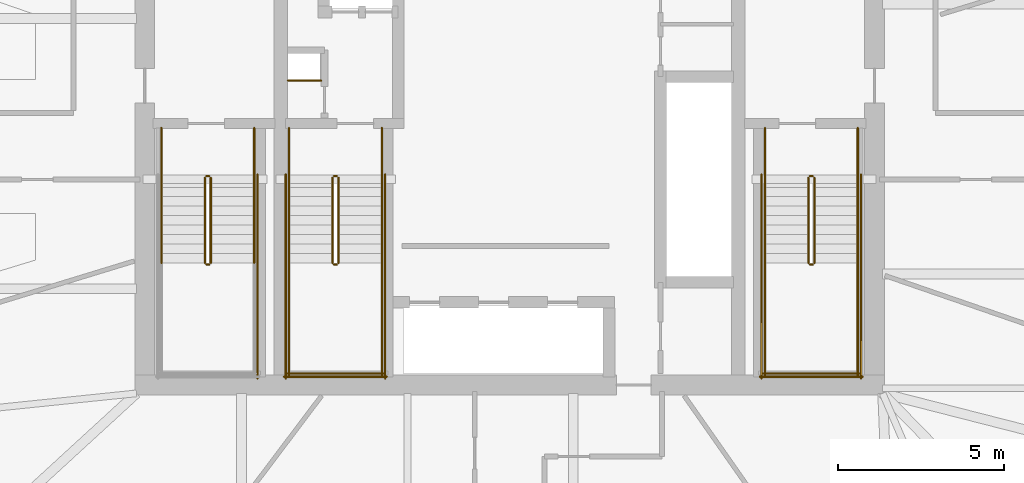
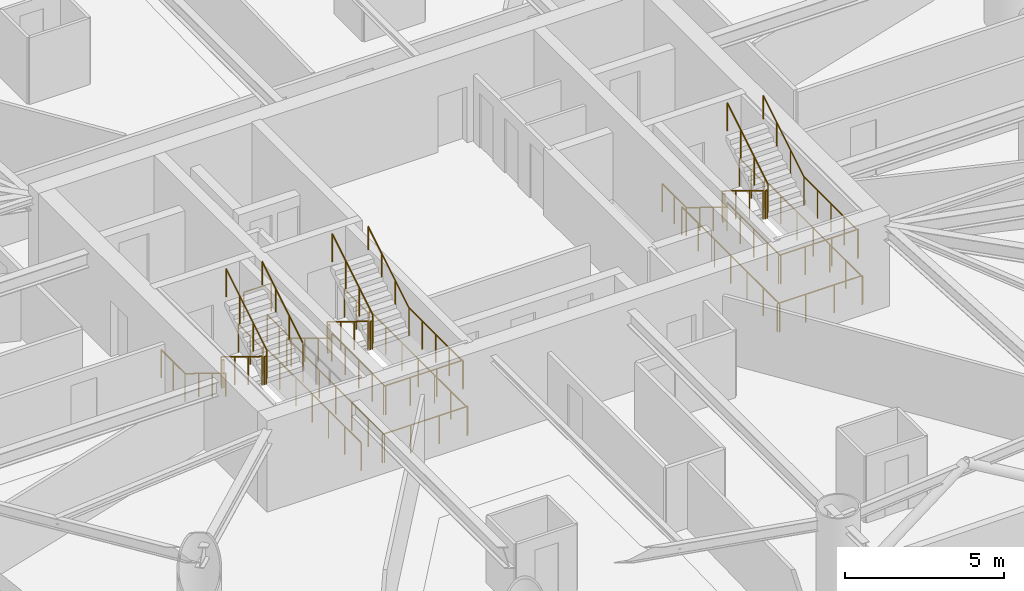
# One storey, part 20 of 21: 38 railings.
"""IFC4 building model written with IfcOpenShell, lengths in metres."""

import ifcopenshell
import ifcopenshell.guid

model = None  # the IFC model being written
_history = None  # IfcOwnerHistory: only IFC2X3 demands one
_inside = {}  # id of a spatial element -> (the spatial element, [elements in it])
_under = {}  # id of a project, library or spatial element -> (it, [spatial elements below it])
_declared = {}  # id of a project -> (the project, [libraries it declares])
_typed = {}  # id of a type object -> (the type object, [elements of that type])
_made_of = {}  # id of a material, layer set ... -> (it, [elements and type objects made of it])


def new_model(schema):
    """Start an empty IFC model of exactly this schema.

    Asked for "IFC4X3", IfcOpenShell would pick the latest addendum, in which some entities
    have other attributes; the version numbers below select the first issue.
    IFC2X3 requires an IfcOwnerHistory on every rooted entity: one is made here for all.
    """
    global model, _history
    if schema == "IFC4X3":
        model = ifcopenshell.file(schema_version=(4, 3, 0, 0))
    else:
        model = ifcopenshell.file(schema=schema)
    _inside.clear()
    _under.clear()
    _declared.clear()
    _typed.clear()
    _made_of.clear()
    _history = None
    if model.schema == "IFC2X3":
        org = make("IfcOrganization", Name="unknown")
        user = make(
            "IfcPersonAndOrganization",
            ThePerson=make("IfcPerson", FamilyName="unknown"),
            TheOrganization=org,
        )
        app = make(
            "IfcApplication",
            ApplicationDeveloper=org,
            Version="unknown",
            ApplicationFullName="unknown",
            ApplicationIdentifier="unknown",
        )
        _history = make(
            "IfcOwnerHistory",
            OwningUser=user,
            OwningApplication=app,
            ChangeAction="ADDED",
            CreationDate=0,
        )
    return model


def make(cls, **values):
    """One entity of the class cls with the attributes given. An attribute that is None is left unset."""
    return model.create_entity(
        cls, **{name: value for name, value in values.items() if value is not None}
    )


def rooted(cls, **values):
    """An entity with a GlobalId (a new one), such as an element, a storey or a relation."""
    return make(cls, GlobalId=ifcopenshell.guid.new(), OwnerHistory=_history, **values)


def si_unit(unit_type, name, prefix=None):
    """IfcSIUnit, for example si_unit("LENGTHUNIT", "METRE", prefix="MILLI")."""
    return make("IfcSIUnit", UnitType=unit_type, Prefix=prefix, Name=name)


def assignment(units):
    """IfcUnitAssignment: the units of a project."""
    return None if units is None else make("IfcUnitAssignment", Units=units)


def point(xyz):
    """IfcCartesianPoint."""
    return None if xyz is None else make("IfcCartesianPoint", Coordinates=xyz)


def direction(xyz):
    """IfcDirection."""
    return None if xyz is None else make("IfcDirection", DirectionRatios=xyz)


def frame(location, z_axis=None, x_axis=None):
    """IfcAxis2Placement3D, a coordinate frame: its origin and axes. An axis left out is left unset."""
    return make(
        "IfcAxis2Placement3D",
        Location=point(location),
        Axis=direction(z_axis),
        RefDirection=direction(x_axis),
    )


def frame_2d(location, x_axis=None):
    """IfcAxis2Placement2D, a coordinate frame in the plane: its origin and x axis."""
    return make(
        "IfcAxis2Placement2D", Location=point(location), RefDirection=direction(x_axis)
    )


def origin():
    """The frame at (0, 0, 0) with its axes left unset."""
    return frame((0.0, 0.0, 0.0))


def origin_2d():
    """The frame at (0, 0) in the plane with its x axis left unset."""
    return frame_2d((0.0, 0.0))


def place(relative_to, where):
    """IfcLocalPlacement: puts the frame where relative to a parent placement (None: the world)."""
    return make(
        "IfcLocalPlacement", PlacementRelTo=relative_to, RelativePlacement=where
    )


def context(
    kind, dimensions, precision=None, world=None, true_north=None, identifier=None
):
    """IfcGeometricRepresentationContext, for example the 3D "Model" context."""
    return make(
        "IfcGeometricRepresentationContext",
        ContextIdentifier=identifier,
        ContextType=kind,
        CoordinateSpaceDimension=dimensions,
        Precision=precision,
        WorldCoordinateSystem=world,
        TrueNorth=true_north,
    )


def subcontext(parent, identifier, kind, view, scale=None):
    """IfcGeometricRepresentationSubContext, for example "Body" below "Model"."""
    return make(
        "IfcGeometricRepresentationSubContext",
        ContextIdentifier=identifier,
        ContextType=kind,
        ParentContext=parent,
        TargetScale=scale,
        TargetView=view,
    )


def project(units=None, contexts=None):
    """IfcProject with its units and contexts."""
    return rooted(
        "IfcProject",
        Name="project",
        RepresentationContexts=contexts,
        UnitsInContext=assignment(units),
    )


def spatial(cls, under=None, at=None, **own):
    """A site, building, storey or space (cls), placed at a placement, below another one or the project."""
    s = rooted(cls, ObjectPlacement=at, **own)
    if under is not None:
        _under.setdefault(under.id(), (under, []))[1].append(s)
    return s


def profile(cls, at=None, kind="AREA", **sizes):
    """A parametric profile (cls). Its sizes go by their IFC names, for example OverallWidth=200.0."""
    return make(cls, ProfileType=kind, Position=at, **sizes)


def circle(**sizes):
    """IfcCircleProfileDef."""
    return profile("IfcCircleProfileDef", **sizes)


def extrude(swept, where, along, depth):
    """IfcExtrudedAreaSolid: the profile swept, set in the frame where, extruded along a direction by depth."""
    return make(
        "IfcExtrudedAreaSolid",
        SweptArea=swept,
        Position=where,
        ExtrudedDirection=direction(along),
        Depth=depth,
    )


def shape(context_of_items, identifier, shape_type, items):
    """IfcShapeRepresentation: the items that make up one representation, for example the "Body"."""
    return make(
        "IfcShapeRepresentation",
        ContextOfItems=context_of_items,
        RepresentationIdentifier=identifier,
        RepresentationType=shape_type,
        Items=items,
    )


def material(Name=None, Category=None):
    """IfcMaterial."""
    return make("IfcMaterial", Name=Name, Category=Category)


def made_of(thing, what):
    """Note that an element or type object is made of a material, layer set ...; save() writes the relation."""
    if what is not None:
        _made_of.setdefault(what.id(), (what, []))[1].append(thing)
    return thing


def type_object(cls, material=None, **own):
    """A type object (cls), such as IfcWallType, which elements share."""
    return made_of(rooted(cls, **own), material)


def element(
    cls,
    number,
    at=None,
    inside=None,
    cuts=None,
    type_object=None,
    material=None,
    context=None,
    identifier="Body",
    shape_type=None,
    held_by="IfcProductDefinitionShape",
    body=None,
    shapes=None,
    **own,
):
    """One element of the class cls, such as IfcWall. Its Tag is "e" and its number.

    at: its placement. inside: the storey or other place that contains it. cuts: it is an
    opening in that element (IfcRelVoidsElement). A single representation is given by context,
    identifier, shape_type and body (its items); several are given by shapes. held_by: the class
    of the entity that holds the representations. save() writes the other relations.
    """
    e = rooted(cls, Tag="e%d" % number, ObjectPlacement=at, **own)
    if body is not None:
        shapes = [shape(context, identifier, shape_type, body)]
    if shapes is not None:
        e.Representation = make(held_by, Representations=shapes)
    if inside is not None:
        _inside.setdefault(inside.id(), (inside, []))[1].append(e)
    if cuts is not None:
        rooted(
            "IfcRelVoidsElement", RelatingBuildingElement=cuts, RelatedOpeningElement=e
        )
    if type_object is not None:
        _typed.setdefault(type_object.id(), (type_object, []))[1].append(e)
    return made_of(e, material)


def aggregate(whole, parts):
    """IfcRelAggregates: a whole, such as a stair, and the parts it consists of."""
    return rooted("IfcRelAggregates", RelatingObject=whole, RelatedObjects=parts)


def save(model, path):
    """Write the relations noted so far, then the file.

    IfcRelAggregates (storeys below a building ...), IfcRelContainedInSpatialStructure (elements
    in a storey), IfcRelDefinesByType, IfcRelAssociatesMaterial and IfcRelDeclares: one each for
    every whole, place, type object, material and project.
    """
    for whole, parts in _under.values():
        aggregate(whole, parts)
    for where, things in _inside.values():
        rooted(
            "IfcRelContainedInSpatialStructure",
            RelatedElements=things,
            RelatingStructure=where,
        )
    for kind, things in _typed.values():
        rooted("IfcRelDefinesByType", RelatedObjects=things, RelatingType=kind)
    for what, things in _made_of.values():
        rooted("IfcRelAssociatesMaterial", RelatedObjects=things, RelatingMaterial=what)
    for by, libraries in _declared.values():
        rooted("IfcRelDeclares", RelatingContext=by, RelatedDefinitions=libraries)
    model.write(path)


model = new_model("IFC4")

# Units and contexts
model_context = context("Model", 3, precision=1e-05, world=origin(), true_north=direction((0.0, 1.0)))
body_context = subcontext(model_context, "Body", "Model", "MODEL_VIEW")
ifc_project = project(units=[si_unit("LENGTHUNIT", "METRE"), si_unit("AREAUNIT", "SQUARE_METRE"), si_unit("VOLUMEUNIT", "CUBIC_METRE"), si_unit("PLANEANGLEUNIT", "RADIAN"), si_unit("MASSUNIT", "GRAM", prefix="KILO")], contexts=[model_context])

# Site, building, storey
site_placement = place(None, origin())
site = spatial("IfcSite", under=ifc_project, at=site_placement, CompositionType="ELEMENT")
building_placement = place(site_placement, origin())
building = spatial("IfcBuilding", under=site, at=building_placement, Name="Bramvorn Convention Spire", CompositionType="ELEMENT")
storey_placement = place(building_placement, frame((0.0, 0.0, 162.300048828125)))
storey = spatial("IfcBuildingStorey", under=building, at=storey_placement, Name="L41", CompositionType="ELEMENT", Elevation=162.300048828125)

# Railings
ifc_material_1 = material(Name="Painted Steel Balustrade & Guardrail", Category="steel")
railing_type_1 = type_object("IfcRailingType", Name="RL-STAIR-GUARD-1100", PredefinedType="GUARDRAIL", material=ifc_material_1)
railing_1_placement = place(storey_placement, frame((28.81005859375, 25.050048828125, 0.175048828125)))
element("IfcRailing", 1, at=railing_1_placement, inside=storey, type_object=railing_type_1, Name="L41 ST1 stair guard 1", PredefinedType="GUARDRAIL", context=body_context, shape_type="SweptSolid", body=[
    extrude(circle(Radius=0.02392578125, at=origin_2d()), frame((0.0, 0.0, 1.076171875), z_axis=(0.0, -0.852173129349, 0.523259933127), x_axis=(1.0, 0.0, 0.0)), (0.0, 0.0, 1.0), 3.009765625),
    extrude(circle(Radius=0.02099609375, at=origin_2d()), origin(), (0.0, 0.0, 1.0), 1.052001953125),
    extrude(circle(Radius=0.02099609375, at=origin_2d()), frame((0.0, -0.85498046875, 0.52490234375)), (0.0, 0.0, 1.0), 1.052001953125),
    extrude(circle(Radius=0.02099609375, at=origin_2d()), frame((0.0, -1.7099609375, 1.050048828125)), (0.0, 0.0, 1.0), 1.052001953125),
    extrude(circle(Radius=0.02099609375, at=origin_2d()), frame((0.0, -2.56494140625, 1.574951171875)), (0.0, 0.0, 1.0), 1.052001953125),
])
railing_2_placement = place(storey_placement, frame((28.860107421875, 22.43505859375, 1.75)))
element("IfcRailing", 2, at=railing_2_placement, inside=storey, type_object=railing_type_1, Name="L41 ST1 stair guard 2", PredefinedType="GUARDRAIL", context=body_context, shape_type="SweptSolid", body=[
    extrude(circle(Radius=0.02392578125, at=origin_2d()), frame((0.0, 0.0, 1.076171875), z_axis=(1.0, 0.0, 0.0), x_axis=(0.0, 1.0, 0.0)), (0.0, 0.0, 1.0), 0.079833984375),
    extrude(circle(Radius=0.02099609375, at=origin_2d()), origin(), (0.0, 0.0, 1.0), 1.052001953125),
    extrude(circle(Radius=0.02099609375, at=origin_2d()), frame((0.079833984375, 0.0, 0.0)), (0.0, 0.0, 1.0), 1.052001953125),
])
railing_3_placement = place(storey_placement, frame((28.989990234375, 22.485107421875, 1.925048828125)))
element("IfcRailing", 3, at=railing_3_placement, inside=storey, type_object=railing_type_1, Name="L41 ST1 stair guard 6", PredefinedType="GUARDRAIL", context=body_context, shape_type="SweptSolid", body=[
    extrude(circle(Radius=0.02392578125, at=origin_2d()), frame((0.0, 0.0, 1.076171875), z_axis=(0.0, 0.852173129349, 0.523259933127), x_axis=(-1.0, 0.0, 0.0)), (0.0, 0.0, 1.0), 3.009765625),
    extrude(circle(Radius=0.02099609375, at=origin_2d()), origin(), (0.0, 0.0, 1.0), 1.052001953125),
    extrude(circle(Radius=0.02099609375, at=origin_2d()), frame((0.0, 0.85498046875, 0.52490234375)), (0.0, 0.0, 1.0), 1.052001953125),
    extrude(circle(Radius=0.02099609375, at=origin_2d()), frame((0.0, 1.7099609375, 1.050048828125)), (0.0, 0.0, 1.0), 1.052001953125),
    extrude(circle(Radius=0.02099609375, at=origin_2d()), frame((0.0, 2.56494140625, 1.574951171875)), (0.0, 0.0, 1.0), 1.052001953125),
])
railing_4_placement = place(storey_placement, frame((28.860107421875, 25.10009765625, 0.0)))
element("IfcRailing", 4, at=railing_4_placement, inside=storey, type_object=railing_type_1, Name="L41 ST1 stair guard 7", PredefinedType="GUARDRAIL", context=body_context, shape_type="SweptSolid", body=[
    extrude(circle(Radius=0.02392578125, at=origin_2d()), frame((0.0, 0.0, 1.076171875), z_axis=(1.0, 0.0, 0.0), x_axis=(0.0, 1.0, 0.0)), (0.0, 0.0, 1.0), 0.079833984375),
    extrude(circle(Radius=0.02099609375, at=origin_2d()), origin(), (0.0, 0.0, 1.0), 1.052001953125),
    extrude(circle(Radius=0.02099609375, at=origin_2d()), frame((0.079833984375, 0.0, 0.0)), (0.0, 0.0, 1.0), 1.052001953125),
])
for number, where, name in (
    (5, (27.5, 26.550048828125, 0.0), "L41 ST1 stair guard 8"),
    (6, (30.300048828125, 26.550048828125, 0.0), "L41 ST1 stair guard 9"),
):
    element("IfcRailing", number, at=place(storey_placement, frame(where)), inside=storey, type_object=railing_type_1, Name=name, PredefinedType="GUARDRAIL", context=body_context, shape_type="SweptSolid", body=[
        extrude(circle(Radius=0.02392578125, at=origin_2d()), frame((0.0, 0.0, 1.076171875), z_axis=(0.0, -1.0, 0.0), x_axis=(1.0, 0.0, 0.0)), (0.0, 0.0, 1.0), 1.5),
        extrude(circle(Radius=0.02099609375, at=origin_2d()), origin(), (0.0, 0.0, 1.0), 1.052001953125),
        extrude(circle(Radius=0.02099609375, at=origin_2d()), frame((0.0, -0.75, 0.0)), (0.0, 0.0, 1.0), 1.052001953125),
        extrude(circle(Radius=0.02099609375, at=origin_2d()), frame((0.0, -1.5, 0.0)), (0.0, 0.0, 1.0), 1.052001953125),
    ])
railing_5_placement = place(storey_placement, frame((30.39990234375, 25.14990234375, 0.0)))
element("IfcRailing", 7, at=railing_5_placement, inside=storey, type_object=railing_type_1, Name="L41 ST1 stair guard 11", PredefinedType="GUARDRAIL", context=body_context, shape_type="SweptSolid", body=[
    extrude(circle(Radius=0.02392578125, at=origin_2d()), frame((0.0, 0.0, 1.076171875), z_axis=(0.0, -1.0, 0.0), x_axis=(1.0, 0.0, 0.0)), (0.0, 0.0, 1.0), 6.14990234375),
    extrude(circle(Radius=0.02099609375, at=origin_2d()), origin(), (0.0, 0.0, 1.0), 1.052001953125),
    extrude(circle(Radius=0.02099609375, at=origin_2d()), frame((0.0, -1.02490234375, 0.0)), (0.0, 0.0, 1.0), 1.052001953125),
    extrude(circle(Radius=0.02099609375, at=origin_2d()), frame((0.0, -2.050048828125, 0.0)), (0.0, 0.0, 1.0), 1.052001953125),
    extrude(circle(Radius=0.02099609375, at=origin_2d()), frame((0.0, -3.074951171875, 0.0)), (0.0, 0.0, 1.0), 1.052001953125),
    extrude(circle(Radius=0.02099609375, at=origin_2d()), frame((0.0, -4.099853515625, 0.0)), (0.0, 0.0, 1.0), 1.052001953125),
    extrude(circle(Radius=0.02099609375, at=origin_2d()), frame((0.0, -5.125, 0.0)), (0.0, 0.0, 1.0), 1.052001953125),
    extrude(circle(Radius=0.02099609375, at=origin_2d()), frame((0.0, -6.14990234375, 0.0)), (0.0, 0.0, 1.0), 1.052001953125),
])
railing_6_placement = place(storey_placement, frame((47.010009765625, 25.050048828125, 0.175048828125)))
element("IfcRailing", 8, at=railing_6_placement, inside=storey, type_object=railing_type_1, Name="L41 ST2 stair guard 1", PredefinedType="GUARDRAIL", context=body_context, shape_type="SweptSolid", body=[
    extrude(circle(Radius=0.02392578125, at=origin_2d()), frame((0.0, 0.0, 1.076171875), z_axis=(0.0, -0.852173129349, 0.523259933127), x_axis=(1.0, 0.0, 0.0)), (0.0, 0.0, 1.0), 3.009765625),
    extrude(circle(Radius=0.02099609375, at=origin_2d()), origin(), (0.0, 0.0, 1.0), 1.052001953125),
    extrude(circle(Radius=0.02099609375, at=origin_2d()), frame((0.0, -0.85498046875, 0.52490234375)), (0.0, 0.0, 1.0), 1.052001953125),
    extrude(circle(Radius=0.02099609375, at=origin_2d()), frame((0.0, -1.7099609375, 1.050048828125)), (0.0, 0.0, 1.0), 1.052001953125),
    extrude(circle(Radius=0.02099609375, at=origin_2d()), frame((0.0, -2.56494140625, 1.574951171875)), (0.0, 0.0, 1.0), 1.052001953125),
])
railing_7_placement = place(storey_placement, frame((47.06005859375, 22.43505859375, 1.75)))
element("IfcRailing", 9, at=railing_7_placement, inside=storey, type_object=railing_type_1, Name="L41 ST2 stair guard 2", PredefinedType="GUARDRAIL", context=body_context, shape_type="SweptSolid", body=[
    extrude(circle(Radius=0.02392578125, at=origin_2d()), frame((0.0, 0.0, 1.076171875), z_axis=(1.0, 0.0, 0.0), x_axis=(0.0, 1.0, 0.0)), (0.0, 0.0, 1.0), 0.079833984375),
    extrude(circle(Radius=0.02099609375, at=origin_2d()), origin(), (0.0, 0.0, 1.0), 1.052001953125),
    extrude(circle(Radius=0.02099609375, at=origin_2d()), frame((0.079833984375, 0.0, 0.0)), (0.0, 0.0, 1.0), 1.052001953125),
])
for number, where, name in (
    (10, (45.699951171875, 22.485107421875, 1.75), "L41 ST2 stair guard 3"),
    (11, (48.5, 22.485107421875, 1.75), "L41 ST2 stair guard 4"),
):
    element("IfcRailing", number, at=place(storey_placement, frame(where)), inside=storey, type_object=railing_type_1, Name=name, PredefinedType="GUARDRAIL", context=body_context, shape_type="SweptSolid", body=[
        extrude(circle(Radius=0.02392578125, at=origin_2d()), frame((0.0, 0.0, 1.076171875), z_axis=(0.0, -1.0, 0.0), x_axis=(1.0, 0.0, 0.0)), (0.0, 0.0, 1.0), 3.385009765625),
        extrude(circle(Radius=0.02099609375, at=origin_2d()), origin(), (0.0, 0.0, 1.0), 1.052001953125),
        extrude(circle(Radius=0.02099609375, at=origin_2d()), frame((0.0, -0.84619140625, 0.0)), (0.0, 0.0, 1.0), 1.052001953125),
        extrude(circle(Radius=0.02099609375, at=origin_2d()), frame((0.0, -1.6923828125, 0.0)), (0.0, 0.0, 1.0), 1.052001953125),
        extrude(circle(Radius=0.02099609375, at=origin_2d()), frame((0.0, -2.538818359375, 0.0)), (0.0, 0.0, 1.0), 1.052001953125),
        extrude(circle(Radius=0.02099609375, at=origin_2d()), frame((0.0, -3.385009765625, 0.0)), (0.0, 0.0, 1.0), 1.052001953125),
    ])
railing_8_placement = place(storey_placement, frame((45.64990234375, 19.14990234375, 1.75)))
element("IfcRailing", 12, at=railing_8_placement, inside=storey, type_object=railing_type_1, Name="L41 ST2 stair guard 5", PredefinedType="GUARDRAIL", context=body_context, shape_type="SweptSolid", body=[
    extrude(circle(Radius=0.02392578125, at=origin_2d()), frame((0.0, 0.0, 1.076171875), z_axis=(1.0, 0.0, 0.0), x_axis=(0.0, 1.0, 0.0)), (0.0, 0.0, 1.0), 2.900146484375),
    extrude(circle(Radius=0.02099609375, at=origin_2d()), origin(), (0.0, 0.0, 1.0), 1.052001953125),
    extrude(circle(Radius=0.02099609375, at=origin_2d()), frame((0.966796875, 0.0, 0.0)), (0.0, 0.0, 1.0), 1.052001953125),
    extrude(circle(Radius=0.02099609375, at=origin_2d()), frame((1.933349609375, 0.0, 0.0)), (0.0, 0.0, 1.0), 1.052001953125),
    extrude(circle(Radius=0.02099609375, at=origin_2d()), frame((2.900146484375, 0.0, 0.0)), (0.0, 0.0, 1.0), 1.052001953125),
])
railing_9_placement = place(storey_placement, frame((47.18994140625, 22.485107421875, 1.925048828125)))
element("IfcRailing", 13, at=railing_9_placement, inside=storey, type_object=railing_type_1, Name="L41 ST2 stair guard 6", PredefinedType="GUARDRAIL", context=body_context, shape_type="SweptSolid", body=[
    extrude(circle(Radius=0.02392578125, at=origin_2d()), frame((0.0, 0.0, 1.076171875), z_axis=(0.0, 0.852173129349, 0.523259933127), x_axis=(-1.0, 0.0, 0.0)), (0.0, 0.0, 1.0), 3.009765625),
    extrude(circle(Radius=0.02099609375, at=origin_2d()), origin(), (0.0, 0.0, 1.0), 1.052001953125),
    extrude(circle(Radius=0.02099609375, at=origin_2d()), frame((0.0, 0.85498046875, 0.52490234375)), (0.0, 0.0, 1.0), 1.052001953125),
    extrude(circle(Radius=0.02099609375, at=origin_2d()), frame((0.0, 1.7099609375, 1.050048828125)), (0.0, 0.0, 1.0), 1.052001953125),
    extrude(circle(Radius=0.02099609375, at=origin_2d()), frame((0.0, 2.56494140625, 1.574951171875)), (0.0, 0.0, 1.0), 1.052001953125),
])
railing_10_placement = place(storey_placement, frame((47.06005859375, 25.10009765625, 0.0)))
element("IfcRailing", 14, at=railing_10_placement, inside=storey, type_object=railing_type_1, Name="L41 ST2 stair guard 7", PredefinedType="GUARDRAIL", context=body_context, shape_type="SweptSolid", body=[
    extrude(circle(Radius=0.02392578125, at=origin_2d()), frame((0.0, 0.0, 1.076171875), z_axis=(1.0, 0.0, 0.0), x_axis=(0.0, 1.0, 0.0)), (0.0, 0.0, 1.0), 0.079833984375),
    extrude(circle(Radius=0.02099609375, at=origin_2d()), origin(), (0.0, 0.0, 1.0), 1.052001953125),
    extrude(circle(Radius=0.02099609375, at=origin_2d()), frame((0.079833984375, 0.0, 0.0)), (0.0, 0.0, 1.0), 1.052001953125),
])
for number, where, name in (
    (15, (45.699951171875, 26.550048828125, 0.0), "L41 ST2 stair guard 8"),
    (16, (48.5, 26.550048828125, 0.0), "L41 ST2 stair guard 9"),
):
    element("IfcRailing", number, at=place(storey_placement, frame(where)), inside=storey, type_object=railing_type_1, Name=name, PredefinedType="GUARDRAIL", context=body_context, shape_type="SweptSolid", body=[
        extrude(circle(Radius=0.02392578125, at=origin_2d()), frame((0.0, 0.0, 1.076171875), z_axis=(0.0, -1.0, 0.0), x_axis=(1.0, 0.0, 0.0)), (0.0, 0.0, 1.0), 1.5),
        extrude(circle(Radius=0.02099609375, at=origin_2d()), origin(), (0.0, 0.0, 1.0), 1.052001953125),
        extrude(circle(Radius=0.02099609375, at=origin_2d()), frame((0.0, -0.75, 0.0)), (0.0, 0.0, 1.0), 1.052001953125),
        extrude(circle(Radius=0.02099609375, at=origin_2d()), frame((0.0, -1.5, 0.0)), (0.0, 0.0, 1.0), 1.052001953125),
    ])
for number, where, name in (
    (17, (45.60009765625, 25.14990234375, 0.0), "L41 ST2 stair guard 10"),
    (18, (48.60009765625, 25.14990234375, 0.0), "L41 ST2 stair guard 11"),
):
    element("IfcRailing", number, at=place(storey_placement, frame(where)), inside=storey, type_object=railing_type_1, Name=name, PredefinedType="GUARDRAIL", context=body_context, shape_type="SweptSolid", body=[
        extrude(circle(Radius=0.02392578125, at=origin_2d()), frame((0.0, 0.0, 1.076171875), z_axis=(0.0, -1.0, 0.0), x_axis=(1.0, 0.0, 0.0)), (0.0, 0.0, 1.0), 6.14990234375),
        extrude(circle(Radius=0.02099609375, at=origin_2d()), origin(), (0.0, 0.0, 1.0), 1.052001953125),
        extrude(circle(Radius=0.02099609375, at=origin_2d()), frame((0.0, -1.02490234375, 0.0)), (0.0, 0.0, 1.0), 1.052001953125),
        extrude(circle(Radius=0.02099609375, at=origin_2d()), frame((0.0, -2.050048828125, 0.0)), (0.0, 0.0, 1.0), 1.052001953125),
        extrude(circle(Radius=0.02099609375, at=origin_2d()), frame((0.0, -3.074951171875, 0.0)), (0.0, 0.0, 1.0), 1.052001953125),
        extrude(circle(Radius=0.02099609375, at=origin_2d()), frame((0.0, -4.099853515625, 0.0)), (0.0, 0.0, 1.0), 1.052001953125),
        extrude(circle(Radius=0.02099609375, at=origin_2d()), frame((0.0, -5.125, 0.0)), (0.0, 0.0, 1.0), 1.052001953125),
        extrude(circle(Radius=0.02099609375, at=origin_2d()), frame((0.0, -6.14990234375, 0.0)), (0.0, 0.0, 1.0), 1.052001953125),
    ])
railing_11_placement = place(storey_placement, frame((45.550048828125, 19.050048828125, 0.0)))
element("IfcRailing", 19, at=railing_11_placement, inside=storey, type_object=railing_type_1, Name="L41 ST2 stair guard 12", PredefinedType="GUARDRAIL", context=body_context, shape_type="SweptSolid", body=[
    extrude(circle(Radius=0.02392578125, at=origin_2d()), frame((0.0, 0.0, 1.076171875), z_axis=(1.0, 0.0, 0.0), x_axis=(0.0, 1.0, 0.0)), (0.0, 0.0, 1.0), 3.099853515625),
    extrude(circle(Radius=0.02099609375, at=origin_2d()), origin(), (0.0, 0.0, 1.0), 1.052001953125),
    extrude(circle(Radius=0.02099609375, at=origin_2d()), frame((1.033203125, 0.0, 0.0)), (0.0, 0.0, 1.0), 1.052001953125),
    extrude(circle(Radius=0.02099609375, at=origin_2d()), frame((2.066650390625, 0.0, 0.0)), (0.0, 0.0, 1.0), 1.052001953125),
    extrude(circle(Radius=0.02099609375, at=origin_2d()), frame((3.099853515625, 0.0, 0.0)), (0.0, 0.0, 1.0), 1.052001953125),
])
railing_12_placement = place(storey_placement, frame((32.659912109375, 25.050048828125, 0.175048828125)))
element("IfcRailing", 20, at=railing_12_placement, inside=storey, type_object=railing_type_1, Name="L41 ST3 stair guard 1", PredefinedType="GUARDRAIL", context=body_context, shape_type="SweptSolid", body=[
    extrude(circle(Radius=0.02392578125, at=origin_2d()), frame((0.0, 0.0, 1.076171875), z_axis=(0.0, -0.852173129349, 0.523259933127), x_axis=(1.0, 0.0, 0.0)), (0.0, 0.0, 1.0), 3.009765625),
    extrude(circle(Radius=0.02099609375, at=origin_2d()), origin(), (0.0, 0.0, 1.0), 1.052001953125),
    extrude(circle(Radius=0.02099609375, at=origin_2d()), frame((0.0, -0.85498046875, 0.52490234375)), (0.0, 0.0, 1.0), 1.052001953125),
    extrude(circle(Radius=0.02099609375, at=origin_2d()), frame((0.0, -1.7099609375, 1.050048828125)), (0.0, 0.0, 1.0), 1.052001953125),
    extrude(circle(Radius=0.02099609375, at=origin_2d()), frame((0.0, -2.56494140625, 1.574951171875)), (0.0, 0.0, 1.0), 1.052001953125),
])
railing_13_placement = place(storey_placement, frame((32.7099609375, 22.43505859375, 1.75)))
element("IfcRailing", 21, at=railing_13_placement, inside=storey, type_object=railing_type_1, Name="L41 ST3 stair guard 2", PredefinedType="GUARDRAIL", context=body_context, shape_type="SweptSolid", body=[
    extrude(circle(Radius=0.02392578125, at=origin_2d()), frame((0.0, 0.0, 1.076171875), z_axis=(1.0, 0.0, 0.0), x_axis=(0.0, 1.0, 0.0)), (0.0, 0.0, 1.0), 0.080078125),
    extrude(circle(Radius=0.02099609375, at=origin_2d()), origin(), (0.0, 0.0, 1.0), 1.052001953125),
    extrude(circle(Radius=0.02099609375, at=origin_2d()), frame((0.080078125, 0.0, 0.0)), (0.0, 0.0, 1.0), 1.052001953125),
])
for number, where, name in (
    (22, (31.35009765625, 22.485107421875, 1.75), "L41 ST3 stair guard 3"),
    (23, (34.14990234375, 22.485107421875, 1.75), "L41 ST3 stair guard 4"),
):
    element("IfcRailing", number, at=place(storey_placement, frame(where)), inside=storey, type_object=railing_type_1, Name=name, PredefinedType="GUARDRAIL", context=body_context, shape_type="SweptSolid", body=[
        extrude(circle(Radius=0.02392578125, at=origin_2d()), frame((0.0, 0.0, 1.076171875), z_axis=(0.0, -1.0, 0.0), x_axis=(1.0, 0.0, 0.0)), (0.0, 0.0, 1.0), 3.385009765625),
        extrude(circle(Radius=0.02099609375, at=origin_2d()), origin(), (0.0, 0.0, 1.0), 1.052001953125),
        extrude(circle(Radius=0.02099609375, at=origin_2d()), frame((0.0, -0.84619140625, 0.0)), (0.0, 0.0, 1.0), 1.052001953125),
        extrude(circle(Radius=0.02099609375, at=origin_2d()), frame((0.0, -1.6923828125, 0.0)), (0.0, 0.0, 1.0), 1.052001953125),
        extrude(circle(Radius=0.02099609375, at=origin_2d()), frame((0.0, -2.538818359375, 0.0)), (0.0, 0.0, 1.0), 1.052001953125),
        extrude(circle(Radius=0.02099609375, at=origin_2d()), frame((0.0, -3.385009765625, 0.0)), (0.0, 0.0, 1.0), 1.052001953125),
    ])
railing_14_placement = place(storey_placement, frame((31.300048828125, 19.14990234375, 1.75)))
element("IfcRailing", 24, at=railing_14_placement, inside=storey, type_object=railing_type_1, Name="L41 ST3 stair guard 5", PredefinedType="GUARDRAIL", context=body_context, shape_type="SweptSolid", body=[
    extrude(circle(Radius=0.02392578125, at=origin_2d()), frame((0.0, 0.0, 1.076171875), z_axis=(1.0, 0.0, 0.0), x_axis=(0.0, 1.0, 0.0)), (0.0, 0.0, 1.0), 2.89990234375),
    extrude(circle(Radius=0.02099609375, at=origin_2d()), origin(), (0.0, 0.0, 1.0), 1.052001953125),
    extrude(circle(Radius=0.02099609375, at=origin_2d()), frame((0.966552734375, 0.0, 0.0)), (0.0, 0.0, 1.0), 1.052001953125),
    extrude(circle(Radius=0.02099609375, at=origin_2d()), frame((1.933349609375, 0.0, 0.0)), (0.0, 0.0, 1.0), 1.052001953125),
    extrude(circle(Radius=0.02099609375, at=origin_2d()), frame((2.89990234375, 0.0, 0.0)), (0.0, 0.0, 1.0), 1.052001953125),
])
railing_15_placement = place(storey_placement, frame((32.840087890625, 22.485107421875, 1.925048828125)))
element("IfcRailing", 25, at=railing_15_placement, inside=storey, type_object=railing_type_1, Name="L41 ST3 stair guard 6", PredefinedType="GUARDRAIL", context=body_context, shape_type="SweptSolid", body=[
    extrude(circle(Radius=0.02392578125, at=origin_2d()), frame((0.0, 0.0, 1.076171875), z_axis=(0.0, 0.852173129349, 0.523259933127), x_axis=(-1.0, 0.0, 0.0)), (0.0, 0.0, 1.0), 3.009765625),
    extrude(circle(Radius=0.02099609375, at=origin_2d()), origin(), (0.0, 0.0, 1.0), 1.052001953125),
    extrude(circle(Radius=0.02099609375, at=origin_2d()), frame((0.0, 0.85498046875, 0.52490234375)), (0.0, 0.0, 1.0), 1.052001953125),
    extrude(circle(Radius=0.02099609375, at=origin_2d()), frame((0.0, 1.7099609375, 1.050048828125)), (0.0, 0.0, 1.0), 1.052001953125),
    extrude(circle(Radius=0.02099609375, at=origin_2d()), frame((0.0, 2.56494140625, 1.574951171875)), (0.0, 0.0, 1.0), 1.052001953125),
])
railing_16_placement = place(storey_placement, frame((32.7099609375, 25.10009765625, 0.0)))
element("IfcRailing", 26, at=railing_16_placement, inside=storey, type_object=railing_type_1, Name="L41 ST3 stair guard 7", PredefinedType="GUARDRAIL", context=body_context, shape_type="SweptSolid", body=[
    extrude(circle(Radius=0.02392578125, at=origin_2d()), frame((0.0, 0.0, 1.076171875), z_axis=(1.0, 0.0, 0.0), x_axis=(0.0, 1.0, 0.0)), (0.0, 0.0, 1.0), 0.080078125),
    extrude(circle(Radius=0.02099609375, at=origin_2d()), origin(), (0.0, 0.0, 1.0), 1.052001953125),
    extrude(circle(Radius=0.02099609375, at=origin_2d()), frame((0.080078125, 0.0, 0.0)), (0.0, 0.0, 1.0), 1.052001953125),
])
for number, where, name in (
    (27, (31.35009765625, 26.550048828125, 0.0), "L41 ST3 stair guard 8"),
    (28, (34.14990234375, 26.550048828125, 0.0), "L41 ST3 stair guard 9"),
):
    element("IfcRailing", number, at=place(storey_placement, frame(where)), inside=storey, type_object=railing_type_1, Name=name, PredefinedType="GUARDRAIL", context=body_context, shape_type="SweptSolid", body=[
        extrude(circle(Radius=0.02392578125, at=origin_2d()), frame((0.0, 0.0, 1.076171875), z_axis=(0.0, -1.0, 0.0), x_axis=(1.0, 0.0, 0.0)), (0.0, 0.0, 1.0), 1.5),
        extrude(circle(Radius=0.02099609375, at=origin_2d()), origin(), (0.0, 0.0, 1.0), 1.052001953125),
        extrude(circle(Radius=0.02099609375, at=origin_2d()), frame((0.0, -0.75, 0.0)), (0.0, 0.0, 1.0), 1.052001953125),
        extrude(circle(Radius=0.02099609375, at=origin_2d()), frame((0.0, -1.5, 0.0)), (0.0, 0.0, 1.0), 1.052001953125),
    ])
for number, where, name in (
    (29, (31.25, 25.14990234375, 0.0), "L41 ST3 stair guard 10"),
    (30, (34.25, 25.14990234375, 0.0), "L41 ST3 stair guard 11"),
):
    element("IfcRailing", number, at=place(storey_placement, frame(where)), inside=storey, type_object=railing_type_1, Name=name, PredefinedType="GUARDRAIL", context=body_context, shape_type="SweptSolid", body=[
        extrude(circle(Radius=0.02392578125, at=origin_2d()), frame((0.0, 0.0, 1.076171875), z_axis=(0.0, -1.0, 0.0), x_axis=(1.0, 0.0, 0.0)), (0.0, 0.0, 1.0), 6.14990234375),
        extrude(circle(Radius=0.02099609375, at=origin_2d()), origin(), (0.0, 0.0, 1.0), 1.052001953125),
        extrude(circle(Radius=0.02099609375, at=origin_2d()), frame((0.0, -1.02490234375, 0.0)), (0.0, 0.0, 1.0), 1.052001953125),
        extrude(circle(Radius=0.02099609375, at=origin_2d()), frame((0.0, -2.050048828125, 0.0)), (0.0, 0.0, 1.0), 1.052001953125),
        extrude(circle(Radius=0.02099609375, at=origin_2d()), frame((0.0, -3.074951171875, 0.0)), (0.0, 0.0, 1.0), 1.052001953125),
        extrude(circle(Radius=0.02099609375, at=origin_2d()), frame((0.0, -4.099853515625, 0.0)), (0.0, 0.0, 1.0), 1.052001953125),
        extrude(circle(Radius=0.02099609375, at=origin_2d()), frame((0.0, -5.125, 0.0)), (0.0, 0.0, 1.0), 1.052001953125),
        extrude(circle(Radius=0.02099609375, at=origin_2d()), frame((0.0, -6.14990234375, 0.0)), (0.0, 0.0, 1.0), 1.052001953125),
    ])
railing_17_placement = place(storey_placement, frame((31.199951171875, 19.050048828125, 0.0)))
element("IfcRailing", 31, at=railing_17_placement, inside=storey, type_object=railing_type_1, Name="L41 ST3 stair guard 12", PredefinedType="GUARDRAIL", context=body_context, shape_type="SweptSolid", body=[
    extrude(circle(Radius=0.02392578125, at=origin_2d()), frame((0.0, 0.0, 1.076171875), z_axis=(1.0, 0.0, 0.0), x_axis=(0.0, 1.0, 0.0)), (0.0, 0.0, 1.0), 3.10009765625),
    extrude(circle(Radius=0.02099609375, at=origin_2d()), origin(), (0.0, 0.0, 1.0), 1.052001953125),
    extrude(circle(Radius=0.02099609375, at=origin_2d()), frame((1.033447265625, 0.0, 0.0)), (0.0, 0.0, 1.0), 1.052001953125),
    extrude(circle(Radius=0.02099609375, at=origin_2d()), frame((2.066650390625, 0.0, 0.0)), (0.0, 0.0, 1.0), 1.052001953125),
    extrude(circle(Radius=0.02099609375, at=origin_2d()), frame((3.10009765625, 0.0, 0.0)), (0.0, 0.0, 1.0), 1.052001953125),
])
railing_18_placement = place(storey_placement, frame((31.320068359375, 27.97998046875, 0.0)))
element("IfcRailing", 32, at=railing_18_placement, inside=storey, type_object=railing_type_1, Name="L41 Telecom riser shaft opening safety guardrail", PredefinedType="GUARDRAIL", context=body_context, shape_type="SweptSolid", body=[
    extrude(circle(Radius=0.02392578125, at=origin_2d()), frame((0.0, 0.0, 1.076171875), z_axis=(1.0, 0.0, 0.0), x_axis=(0.0, 1.0, 0.0)), (0.0, 0.0, 1.0), 1.0),
    extrude(circle(Radius=0.02099609375, at=origin_2d()), origin(), (0.0, 0.0, 1.0), 1.052001953125),
    extrude(circle(Radius=0.02099609375, at=origin_2d()), frame((1.0, 0.0, 0.0)), (0.0, 0.0, 1.0), 1.052001953125),
])
ifc_material_2 = material(Name="Brushed Bronze Tubular Handrail", Category="aluminium")
railing_type_2 = type_object("IfcRailingType", Name="RL-STAIR-HR-920", PredefinedType="HANDRAIL", material=ifc_material_2)
railing_19_placement = place(storey_placement, frame((27.5, 25.050048828125, 0.175048828125)))
element("IfcRailing", 33, at=railing_19_placement, inside=storey, type_object=railing_type_2, Name="L41 ST1 stair handrail 1", PredefinedType="HANDRAIL", context=body_context, shape_type="SweptSolid", body=[
    extrude(circle(Radius=0.02392578125, at=origin_2d()), frame((0.0, 0.0, 0.89599609375), z_axis=(0.0, -0.852173129349, 0.523259933127), x_axis=(1.0, 0.0, 0.0)), (0.0, 0.0, 1.0), 3.009765625),
    extrude(circle(Radius=0.02099609375, at=origin_2d()), origin(), (0.0, 0.0, 1.0), 0.871826171875),
    extrude(circle(Radius=0.02099609375, at=origin_2d()), frame((0.0, -0.85498046875, 0.52490234375)), (0.0, 0.0, 1.0), 0.871826171875),
    extrude(circle(Radius=0.02099609375, at=origin_2d()), frame((0.0, -1.7099609375, 1.050048828125)), (0.0, 0.0, 1.0), 0.871826171875),
    extrude(circle(Radius=0.02099609375, at=origin_2d()), frame((0.0, -2.56494140625, 1.574951171875)), (0.0, 0.0, 1.0), 0.871826171875),
])
railing_20_placement = place(storey_placement, frame((30.300048828125, 22.485107421875, 1.925048828125)))
element("IfcRailing", 34, at=railing_20_placement, inside=storey, type_object=railing_type_2, Name="L41 ST1 stair handrail 2", PredefinedType="HANDRAIL", context=body_context, shape_type="SweptSolid", body=[
    extrude(circle(Radius=0.02392578125, at=origin_2d()), frame((0.0, 0.0, 0.89599609375), z_axis=(0.0, 0.852173129349, 0.523259933127), x_axis=(-1.0, 0.0, 0.0)), (0.0, 0.0, 1.0), 3.009765625),
    extrude(circle(Radius=0.02099609375, at=origin_2d()), origin(), (0.0, 0.0, 1.0), 0.871826171875),
    extrude(circle(Radius=0.02099609375, at=origin_2d()), frame((0.0, 0.85498046875, 0.52490234375)), (0.0, 0.0, 1.0), 0.871826171875),
    extrude(circle(Radius=0.02099609375, at=origin_2d()), frame((0.0, 1.7099609375, 1.050048828125)), (0.0, 0.0, 1.0), 0.871826171875),
    extrude(circle(Radius=0.02099609375, at=origin_2d()), frame((0.0, 2.56494140625, 1.574951171875)), (0.0, 0.0, 1.0), 0.871826171875),
])
railing_21_placement = place(storey_placement, frame((45.699951171875, 25.050048828125, 0.175048828125)))
element("IfcRailing", 35, at=railing_21_placement, inside=storey, type_object=railing_type_2, Name="L41 ST2 stair handrail 1", PredefinedType="HANDRAIL", context=body_context, shape_type="SweptSolid", body=[
    extrude(circle(Radius=0.02392578125, at=origin_2d()), frame((0.0, 0.0, 0.89599609375), z_axis=(0.0, -0.852173129349, 0.523259933127), x_axis=(1.0, 0.0, 0.0)), (0.0, 0.0, 1.0), 3.009765625),
    extrude(circle(Radius=0.02099609375, at=origin_2d()), origin(), (0.0, 0.0, 1.0), 0.871826171875),
    extrude(circle(Radius=0.02099609375, at=origin_2d()), frame((0.0, -0.85498046875, 0.52490234375)), (0.0, 0.0, 1.0), 0.871826171875),
    extrude(circle(Radius=0.02099609375, at=origin_2d()), frame((0.0, -1.7099609375, 1.050048828125)), (0.0, 0.0, 1.0), 0.871826171875),
    extrude(circle(Radius=0.02099609375, at=origin_2d()), frame((0.0, -2.56494140625, 1.574951171875)), (0.0, 0.0, 1.0), 0.871826171875),
])
railing_22_placement = place(storey_placement, frame((48.5, 22.485107421875, 1.925048828125)))
element("IfcRailing", 36, at=railing_22_placement, inside=storey, type_object=railing_type_2, Name="L41 ST2 stair handrail 2", PredefinedType="HANDRAIL", context=body_context, shape_type="SweptSolid", body=[
    extrude(circle(Radius=0.02392578125, at=origin_2d()), frame((0.0, 0.0, 0.89599609375), z_axis=(0.0, 0.852173129349, 0.523259933127), x_axis=(-1.0, 0.0, 0.0)), (0.0, 0.0, 1.0), 3.009765625),
    extrude(circle(Radius=0.02099609375, at=origin_2d()), origin(), (0.0, 0.0, 1.0), 0.871826171875),
    extrude(circle(Radius=0.02099609375, at=origin_2d()), frame((0.0, 0.85498046875, 0.52490234375)), (0.0, 0.0, 1.0), 0.871826171875),
    extrude(circle(Radius=0.02099609375, at=origin_2d()), frame((0.0, 1.7099609375, 1.050048828125)), (0.0, 0.0, 1.0), 0.871826171875),
    extrude(circle(Radius=0.02099609375, at=origin_2d()), frame((0.0, 2.56494140625, 1.574951171875)), (0.0, 0.0, 1.0), 0.871826171875),
])
railing_23_placement = place(storey_placement, frame((31.35009765625, 25.050048828125, 0.175048828125)))
element("IfcRailing", 37, at=railing_23_placement, inside=storey, type_object=railing_type_2, Name="L41 ST3 stair handrail 1", PredefinedType="HANDRAIL", context=body_context, shape_type="SweptSolid", body=[
    extrude(circle(Radius=0.02392578125, at=origin_2d()), frame((0.0, 0.0, 0.89599609375), z_axis=(0.0, -0.852173129349, 0.523259933127), x_axis=(1.0, 0.0, 0.0)), (0.0, 0.0, 1.0), 3.009765625),
    extrude(circle(Radius=0.02099609375, at=origin_2d()), origin(), (0.0, 0.0, 1.0), 0.871826171875),
    extrude(circle(Radius=0.02099609375, at=origin_2d()), frame((0.0, -0.85498046875, 0.52490234375)), (0.0, 0.0, 1.0), 0.871826171875),
    extrude(circle(Radius=0.02099609375, at=origin_2d()), frame((0.0, -1.7099609375, 1.050048828125)), (0.0, 0.0, 1.0), 0.871826171875),
    extrude(circle(Radius=0.02099609375, at=origin_2d()), frame((0.0, -2.56494140625, 1.574951171875)), (0.0, 0.0, 1.0), 0.871826171875),
])
railing_24_placement = place(storey_placement, frame((34.14990234375, 22.485107421875, 1.925048828125)))
element("IfcRailing", 38, at=railing_24_placement, inside=storey, type_object=railing_type_2, Name="L41 ST3 stair handrail 2", PredefinedType="HANDRAIL", context=body_context, shape_type="SweptSolid", body=[
    extrude(circle(Radius=0.02392578125, at=origin_2d()), frame((0.0, 0.0, 0.89599609375), z_axis=(0.0, 0.852173129349, 0.523259933127), x_axis=(-1.0, 0.0, 0.0)), (0.0, 0.0, 1.0), 3.009765625),
    extrude(circle(Radius=0.02099609375, at=origin_2d()), origin(), (0.0, 0.0, 1.0), 0.871826171875),
    extrude(circle(Radius=0.02099609375, at=origin_2d()), frame((0.0, 0.85498046875, 0.52490234375)), (0.0, 0.0, 1.0), 0.871826171875),
    extrude(circle(Radius=0.02099609375, at=origin_2d()), frame((0.0, 1.7099609375, 1.050048828125)), (0.0, 0.0, 1.0), 0.871826171875),
    extrude(circle(Radius=0.02099609375, at=origin_2d()), frame((0.0, 2.56494140625, 1.574951171875)), (0.0, 0.0, 1.0), 0.871826171875),
])

save(model, "model.ifc")
